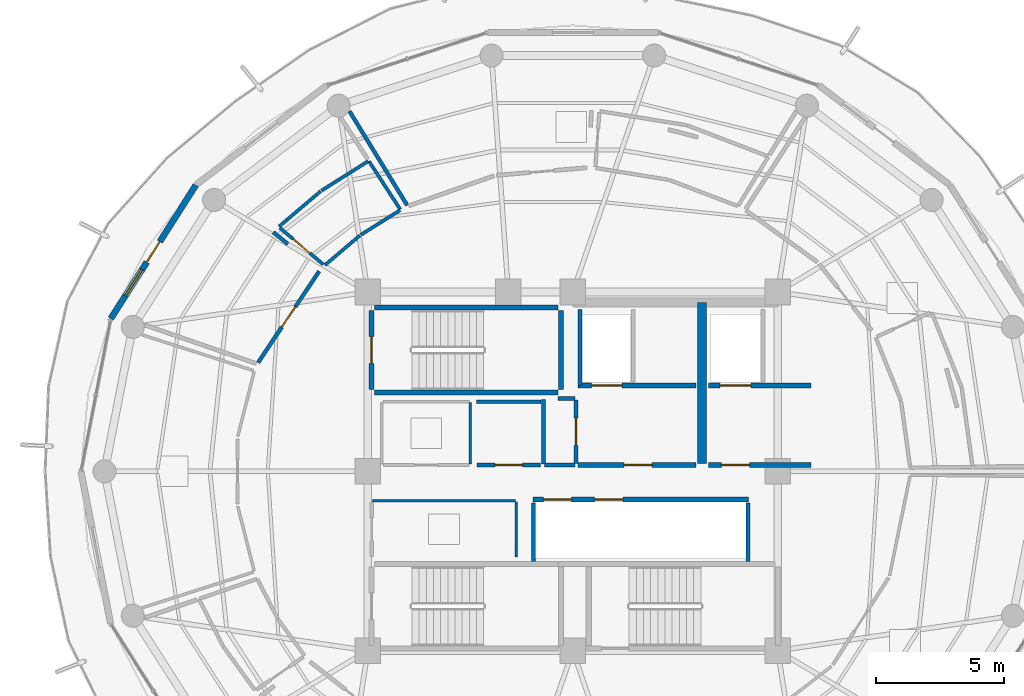
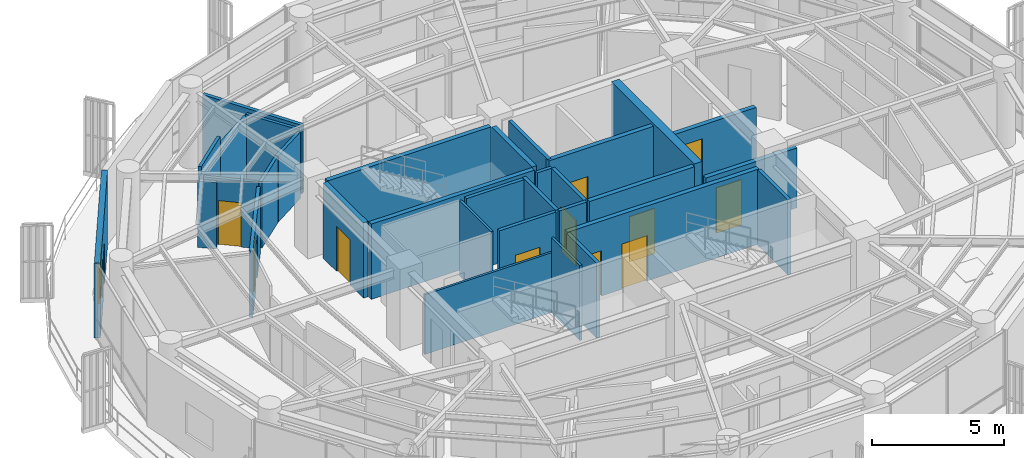
# One storey, part 17 of 23: 32 walls, 12 doors, 1 window, 13 openings.
"""IFC4 building model written with IfcOpenShell, lengths in metres."""

from ifc_helpers import new_model, si_unit, direction, frame, frame_2d, origin, place, context, subcontext, project, spatial, rectangle, extrude, material, layer, layer_set, type_object, element, fill, save


model = new_model("IFC4")

# Units and contexts
model_context = context("Model", 3, precision=1e-05, world=origin(), true_north=direction((0.0, 1.0)))
body_context = subcontext(model_context, "Body", "Model", "MODEL_VIEW")
ifc_project = project(units=[si_unit("LENGTHUNIT", "METRE"), si_unit("AREAUNIT", "SQUARE_METRE"), si_unit("VOLUMEUNIT", "CUBIC_METRE"), si_unit("PLANEANGLEUNIT", "RADIAN"), si_unit("MASSUNIT", "GRAM", prefix="KILO")], contexts=[model_context])

# Site, building, storey
site_placement = place(None, origin())
site = spatial("IfcSite", under=ifc_project, at=site_placement, CompositionType="ELEMENT")
building_placement = place(site_placement, origin())
building = spatial("IfcBuilding", under=site, at=building_placement, Name="Kelanora Arch Commons", CompositionType="ELEMENT")
storey_placement = place(building_placement, frame((0.0, 0.0, 278.699951171875)))
storey = spatial("IfcBuildingStorey", under=building, at=storey_placement, Name="L71", CompositionType="ELEMENT", Elevation=278.699951171875)

# Walls
ifc_material_1 = material(Name="Autoclaved aerated concrete blockwork with fire plaster", Category="masonry")
ifc_layer_1 = layer(ifc_material_1, 0.14990234375)
ifc_layer_set_1 = layer_set([ifc_layer_1], Name="Autoclaved aerated concrete blockwork with fire plaster")
wall_type_1 = type_object("IfcWallType", Name="W-COMP-150", PredefinedType="PARTITIONING", material=ifc_layer_set_1)
wall_1_placement = place(storey_placement, frame((74.280029296875, 61.35009765625, 0.0), z_axis=(0.0, 0.0, 1.0), x_axis=(0.0, 1.0, 0.0)))
element("IfcWall", 1, at=wall_1_placement, inside=storey, type_object=wall_type_1, Name="Firefighting Lift 1 West Shaft Wall L71", PredefinedType="PARTITIONING", context=body_context, shape_type="SweptSolid", body=[
    extrude(rectangle(XDim=2.969970703125, YDim=0.14990234375, at=frame_2d((1.48486328125, 0.0))), origin(), (0.0, 0.0, 1.0), 3.47998046875),
])
for number, where, z_axis, x_axis, name in (
    (2, (72.4599609375, 54.47998046875, 0.0), (0.0, 0.0, 1.0), (0.0, 1.0, 0.0), "South Lift Bank West Wall L71"),
    (3, (80.840087890625, 54.47998046875, 0.0), (0.0, 0.0, 1.0), (0.0, 1.0, 0.0), "South Lift Bank East Wall L71"),
):
    element("IfcWall", number, at=place(storey_placement, frame(where, z_axis=z_axis, x_axis=x_axis)), inside=storey, type_object=wall_type_1, Name=name, PredefinedType="PARTITIONING", context=body_context, shape_type="SweptSolid", body=[
        extrude(rectangle(XDim=2.2900390625, YDim=0.14990234375, at=frame_2d((1.14501953125, 0.0))), origin(), (0.0, 0.0, 1.0), 3.47998046875),
    ])

# Wall, opening, door
wall_2_placement = place(storey_placement, frame((74.1201171875, 58.31005859375, 0.0), z_axis=(0.0, 0.0, 1.0), x_axis=(0.0, 1.0, 0.0)))
wall_2 = element("IfcWall", 4, at=wall_2_placement, inside=storey, type_object=wall_type_1, Name="Core Linen Supply Store L71 Entry Partition", PredefinedType="PARTITIONING", context=body_context, shape_type="SweptSolid", body=[
    extrude(rectangle(XDim=2.47998046875, YDim=0.14990234375, at=frame_2d((1.239990234375, 0.0))), origin(), (0.0, 0.0, 1.0), 3.47998046875),
])
opening_1_placement = place(wall_2_placement, frame((0.699951171875, 0.0, 0.0)))
opening_1 = element("IfcOpeningElement", 5, at=opening_1_placement, cuts=wall_2, Name="Opening D-PLT1", PredefinedType="OPENING", context=body_context, shape_type="SweptSolid", body=[
    extrude(rectangle(XDim=1.080078125, YDim=2.10009765625, at=frame_2d((0.5400390625, 1.050048828125))), frame((0.0, 0.0849609375, 0.0), z_axis=(0.0, -1.0, 0.0), x_axis=(1.0, 0.0, 0.0)), (0.0, 0.0, 1.0), 0.169921875),
])
ifc_material_2 = material(Name="Galvanised steel plant and riser fire door", Category="steel")
door_type_1 = type_object("IfcDoorType", Name="D-PLT-110", OperationType="NOTDEFINED", PredefinedType="DOOR", material=ifc_material_2)
door_1_placement = place(opening_1_placement, origin())
door_1 = element("IfcDoor", 6, at=door_1_placement, inside=storey, type_object=door_type_1, Name="Core Linen Supply Store L71 Door", OperationType="SINGLE_SWING_LEFT", OverallHeight=2.10009765625, OverallWidth=1.080078125, PredefinedType="DOOR", context=body_context, shape_type="SweptSolid", body=[
    extrude(rectangle(XDim=1.080078125, YDim=2.10009765625, at=frame_2d((0.5400390625, 1.050048828125))), frame((0.0, 0.02490234375, 0.0), z_axis=(0.0, -1.0, 0.0), x_axis=(1.0, 0.0, 0.0)), (0.0, 0.0, 1.0), 0.050048828125),
])
fill(opening_1, door_1)

wall_3_placement = place(storey_placement, frame((70.260009765625, 58.25, 0.0), z_axis=(0.0, 0.0, 1.0), x_axis=(1.0, 0.0, 0.0)))
wall_3 = element("IfcWall", 7, at=wall_3_placement, inside=storey, type_object=wall_type_1, Name="Reclaimed Core Linen Store L71 Entry Partition", PredefinedType="PARTITIONING", context=body_context, shape_type="SweptSolid", body=[
    extrude(rectangle(XDim=2.47998046875, YDim=0.14990234375, at=frame_2d((1.239990234375, 0.0))), origin(), (0.0, 0.0, 1.0), 3.47998046875),
])
opening_2_placement = place(wall_3_placement, frame((0.699951171875, 0.0, 0.0)))
opening_2 = element("IfcOpeningElement", 8, at=opening_2_placement, cuts=wall_3, Name="Opening D-PLT1", PredefinedType="OPENING", context=body_context, shape_type="SweptSolid", body=[
    extrude(rectangle(XDim=1.080078125, YDim=2.10009765625, at=frame_2d((0.5400390625, 1.050048828125))), frame((0.0, 0.0849609375, 0.0), z_axis=(0.0, -1.0, 0.0), x_axis=(1.0, 0.0, 0.0)), (0.0, 0.0, 1.0), 0.169921875),
])
door_2_placement = place(opening_2_placement, origin())
door_2 = element("IfcDoor", 9, at=door_2_placement, inside=storey, type_object=door_type_1, Name="Reclaimed Core Linen Store L71 Door", OperationType="SINGLE_SWING_LEFT", OverallHeight=2.10009765625, OverallWidth=1.080078125, PredefinedType="DOOR", context=body_context, shape_type="SweptSolid", body=[
    extrude(rectangle(XDim=1.080078125, YDim=2.10009765625, at=frame_2d((0.5400390625, 1.050048828125))), frame((0.0, 0.02490234375, 0.0), z_axis=(0.0, -1.0, 0.0), x_axis=(1.0, 0.0, 0.0)), (0.0, 0.0, 1.0), 0.050048828125),
])
fill(opening_2, door_2)

wall_4_placement = place(storey_placement, frame((64.09765625, 65.81005859375, 0.0), z_axis=(0.0, 0.0, 1.0), x_axis=(-0.556013356557, -0.831173355763, 0.0)))
wall_4 = element("IfcWall", 10, at=wall_4_placement, inside=storey, type_object=wall_type_1, Name="Co-Living Studio L71-02 Entry Partition", PredefinedType="PARTITIONING", context=body_context, shape_type="SweptSolid", body=[
    extrude(rectangle(XDim=4.2880859375, YDim=0.14990234375, at=frame_2d((2.14404296875, 0.0))), origin(), (0.0, 0.0, 1.0), 3.074951171875),
])
opening_3_placement = place(wall_4_placement, frame((1.6689453125, 0.0, 0.0)))
opening_3 = element("IfcOpeningElement", 11, at=opening_3_placement, cuts=wall_4, Name="Opening D-CLU1", PredefinedType="OPENING", context=body_context, shape_type="SweptSolid", body=[
    extrude(rectangle(XDim=0.949951171875, YDim=2.080078125, at=frame_2d((0.47509765625, 1.0400390625))), frame((0.0, 0.0849609375, 0.0), z_axis=(0.0, -1.0, 0.0), x_axis=(1.0, 0.0, 0.0)), (0.0, 0.0, 1.0), 0.169921875),
])
ifc_material_3 = material(Name="Solid-core acoustic timber cluster entry fire door", Category="wood")
door_type_2 = type_object("IfcDoorType", Name="D-CLU-95", OperationType="NOTDEFINED", PredefinedType="DOOR", material=ifc_material_3)
door_3_placement = place(opening_3_placement, origin())
door_3 = element("IfcDoor", 12, at=door_3_placement, inside=storey, type_object=door_type_2, Name="Co-Living Studio L71-02 Door", OperationType="SINGLE_SWING_RIGHT", OverallHeight=2.080078125, OverallWidth=0.949951171875, PredefinedType="DOOR", context=body_context, shape_type="SweptSolid", body=[
    extrude(rectangle(XDim=0.949951171875, YDim=2.080078125, at=frame_2d((0.47509765625, 1.0400390625))), frame((0.0, 0.02490234375, 0.0), z_axis=(0.0, -1.0, 0.0), x_axis=(1.0, 0.0, 0.0)), (0.0, 0.0, 1.0), 0.050048828125),
])
fill(opening_3, door_3)

# Walls
wall_5_placement = place(storey_placement, frame((72.89990234375, 58.25, 0.0), z_axis=(0.0, 0.0, 1.0), x_axis=(1.0, 0.0, 0.0)))
element("IfcWall", 13, at=wall_5_placement, inside=storey, type_object=wall_type_1, Name="Core Linen Supply Store L71 Enclosure Partition 1", PredefinedType="PARTITIONING", context=body_context, shape_type="SweptSolid", body=[
    extrude(rectangle(XDim=1.18017578125, YDim=0.14990234375, at=frame_2d((0.590087890625, 0.0))), origin(), (0.0, 0.0, 1.0), 3.47998046875),
])
wall_6_placement = place(storey_placement, frame((74.080078125, 60.85009765625, 0.0), z_axis=(0.0, 0.0, 1.0), x_axis=(-1.0, 0.0, 0.0)))
element("IfcWall", 14, at=wall_6_placement, inside=storey, type_object=wall_type_1, Name="Core Linen Supply Store L71 Enclosure Partition 3", PredefinedType="PARTITIONING", context=body_context, shape_type="SweptSolid", body=[
    extrude(rectangle(XDim=0.66015625, YDim=0.14990234375, at=frame_2d((0.330078125, 0.0))), origin(), (0.0, 0.0, 1.0), 3.47998046875),
])
for number, where, z_axis, x_axis, name in (
    (15, (72.860107421875, 60.81005859375, 0.0), (0.0, 0.0, 1.0), (0.0, -1.0, 0.0), "Core Linen Supply Store L71 Enclosure Partition 4"),
    (16, (72.760009765625, 60.719970703125, 0.0), (0.0, 0.0, 1.0), (-1.0, 0.0, 0.0), "Reclaimed Core Linen Store L71 Enclosure Partition 3"),
):
    element("IfcWall", number, at=place(storey_placement, frame(where, z_axis=z_axis, x_axis=x_axis)), inside=storey, type_object=wall_type_1, Name=name, PredefinedType="PARTITIONING", context=body_context, shape_type="SweptSolid", body=[
        extrude(rectangle(XDim=2.52001953125, YDim=0.14990234375, at=frame_2d((1.260009765625, 0.0))), origin(), (0.0, 0.0, 1.0), 3.47998046875),
    ])
wall_7_placement = place(storey_placement, frame((67.5341796875, 68.385009765625, 0.0), z_axis=(0.0, 0.0, 1.0), x_axis=(-0.522784059663, 0.852465147066, 0.0)))
element("IfcWall", 17, at=wall_7_placement, inside=storey, type_object=wall_type_1, Name="Co-Living Studio L71-01 Enclosure Partition 3", PredefinedType="PARTITIONING", context=body_context, shape_type="SweptSolid", body=[
    extrude(rectangle(XDim=4.30615234375, YDim=0.14990234375, at=frame_2d((2.153076171875, 0.0))), origin(), (0.0, 0.0, 1.0), 3.175048828125),
])
wall_8_placement = place(storey_placement, frame((62.30810546875, 67.333984375, 0.0), z_axis=(0.0, 0.0, 1.0), x_axis=(0.777554041087, -0.628816120332, 0.0)))
element("IfcWall", 18, at=wall_8_placement, inside=storey, type_object=wall_type_1, Name="Co-Living Studio L71-02 Enclosure Partition 7", PredefinedType="PARTITIONING", context=body_context, shape_type="SweptSolid", body=[
    extrude(rectangle(XDim=0.7353515625, YDim=0.14990234375, at=frame_2d((0.36767578125, 0.0))), origin(), (0.0, 0.0, 1.0), 3.074951171875),
])
ifc_material_4 = material(Name="Concrete C50/60", Category="concrete")
ifc_layer_2 = layer(ifc_material_4, 0.35009765625)
ifc_layer_set_2 = layer_set([ifc_layer_2], Name="Concrete C50/60")
wall_type_2 = type_object("IfcWallType", Name="W-CORE-350", PredefinedType="SHEAR", material=ifc_layer_set_2)
wall_9_placement = place(storey_placement, frame((79.050048828125, 58.300048828125, 0.0), z_axis=(0.0, 0.0, 1.0), x_axis=(0.0, 1.0, 0.0)))
element("IfcWall", 19, at=wall_9_placement, inside=storey, type_object=wall_type_2, Name="Core Shear Spine L71-CE-N", PredefinedType="SHEAR", context=body_context, shape_type="SweptSolid", body=[
    extrude(rectangle(XDim=6.300048828125, YDim=0.35009765625, at=frame_2d((3.14990234375, 0.0))), origin(), (0.0, 0.0, 1.0), 3.489990234375),
])

# Wall, openings, door, window
ifc_material_5 = material(Name="Precast concrete C40/50 upper-zone terracotta rainscreen", Category="masonry")
ifc_layer_3 = layer(ifc_material_5, 0.239990234375)
ifc_layer_set_3 = layer_set([ifc_layer_3], Name="Precast concrete C40/50 upper-zone terracotta rainscreen")
wall_type_3 = type_object("IfcWallType", Name="W-EXT-TC2", PredefinedType="SOLIDWALL", material=ifc_layer_set_3)
wall_10_placement = place(storey_placement, frame((59.28369140625, 69.171875, 0.0), z_axis=(0.0, 0.0, 1.0), x_axis=(-0.537271968456, -0.843409053728, 0.0)))
wall_10 = element("IfcWall", 20, at=wall_10_placement, inside=storey, type_object=wall_type_3, Name="Terracotta Exterior Wall L71-B07", PredefinedType="SOLIDWALL", context=body_context, shape_type="SweptSolid", body=[
    extrude(rectangle(XDim=6.175048828125, YDim=0.239990234375, at=frame_2d((3.08740234375, 0.0))), origin(), (0.0, 0.0, 1.0), 3.47509765625),
])
opening_4_placement = place(wall_10_placement, frame((2.613037109375, 0.0, 0.0)))
opening_4 = element("IfcOpeningElement", 21, at=opening_4_placement, cuts=wall_10, Name="Opening DB-01", PredefinedType="OPENING", context=body_context, shape_type="SweptSolid", body=[
    extrude(rectangle(XDim=0.949951171875, YDim=2.10009765625, at=frame_2d((0.47509765625, 1.050048828125))), frame((0.0, 0.1298828125, 0.0), z_axis=(0.0, -1.0, 0.0), x_axis=(1.0, 0.0, 0.0)), (0.0, 0.0, 1.0), 0.260009765625),
])
opening_5_placement = place(wall_10_placement, frame((3.9130859375, 0.0, 0.85009765625)))
opening_5 = element("IfcOpeningElement", 22, at=opening_5_placement, cuts=wall_10, Name="Opening WN-02", PredefinedType="OPENING", context=body_context, shape_type="SweptSolid", body=[
    extrude(rectangle(XDim=1.199951171875, YDim=1.449951171875, at=frame_2d((0.60009765625, 0.72509765625))), frame((0.0, 0.1298828125, 0.0), z_axis=(0.0, -1.0, 0.0), x_axis=(1.0, 0.0, 0.0)), (0.0, 0.0, 1.0), 0.260009765625),
])
ifc_material_6 = material(Name="Terracotta-aluminium thermally broken glazed balcony door", Category="masonry")
door_type_3 = type_object("IfcDoorType", Name="D-BAL-10", OperationType="NOTDEFINED", PredefinedType="DOOR", material=ifc_material_6)
door_4_placement = place(opening_4_placement, frame((0.949951171875, 0.0, 0.0), z_axis=(0.0, 0.0, 1.0), x_axis=(-1.0, 0.0, 0.0)))
door_4 = element("IfcDoor", 23, at=door_4_placement, inside=storey, type_object=door_type_3, Name="Wave Balcony Door L71-B07", OperationType="SINGLE_SWING_LEFT", OverallHeight=2.10009765625, OverallWidth=0.949951171875, PredefinedType="DOOR", context=body_context, shape_type="SweptSolid", body=[
    extrude(rectangle(XDim=0.949951171875, YDim=2.10009765625, at=frame_2d((0.47509765625, 1.050048828125))), frame((0.0, 0.02490234375, 0.0), z_axis=(0.0, -1.0, 0.0), x_axis=(1.0, 0.0, 0.0)), (0.0, 0.0, 1.0), 0.050048828125),
])
fill(opening_4, door_4)
ifc_material_7 = material(Name="Terracotta-anodised aluminium frame with operable awning sash", Category="masonry")
window_type = type_object("IfcWindowType", Name="WIN-CL-12", PartitioningType="SINGLE_PANEL", PredefinedType="WINDOW", material=ifc_material_7)
window_placement = place(opening_5_placement, origin())
window = element("IfcWindow", 24, at=window_placement, inside=storey, type_object=window_type, Name="Co-Living Operable Window L71-B07", OverallHeight=1.449951171875, OverallWidth=1.199951171875, PartitioningType="SINGLE_PANEL", PredefinedType="WINDOW", context=body_context, shape_type="SweptSolid", body=[
    extrude(rectangle(XDim=1.199951171875, YDim=1.449951171875, at=frame_2d((0.60009765625, 0.72509765625))), frame((0.0, 0.030029296875, 0.0), z_axis=(0.0, -1.0, 0.0), x_axis=(1.0, 0.0, 0.0)), (0.0, 0.0, 1.0), 0.06005859375),
])
fill(opening_5, window)

# Wall, opening, door
ifc_material_8 = material(Name="Concrete C40/50", Category="concrete")
ifc_layer_4 = layer(ifc_material_8, 0.199951171875)
ifc_layer_set_4 = layer_set([ifc_layer_4], Name="Concrete C40/50")
wall_type_4 = type_object("IfcWallType", Name="W-FFL-200", PredefinedType="SOLIDWALL", material=ifc_layer_set_4)
wall_11_placement = place(storey_placement, frame((74.199951171875, 61.35009765625, 0.0), z_axis=(0.0, 0.0, 1.0), x_axis=(1.0, 0.0, 0.0)))
wall_11 = element("IfcWall", 25, at=wall_11_placement, inside=storey, type_object=wall_type_4, Name="Firefighting Lift 1 Shaft Front L71", PredefinedType="SOLIDWALL", context=body_context, shape_type="SweptSolid", body=[
    extrude(rectangle(XDim=4.60009765625, YDim=0.199951171875, at=frame_2d((2.300048828125, 0.0))), origin(), (0.0, 0.0, 1.0), 3.47998046875),
])
opening_6_placement = place(wall_11_placement, frame((0.52001953125, 0.0, 0.0)))
opening_6 = element("IfcOpeningElement", 26, at=opening_6_placement, cuts=wall_11, Name="Opening LD-FF", PredefinedType="OPENING", context=body_context, shape_type="SweptSolid", body=[
    extrude(rectangle(XDim=1.199951171875, YDim=2.14990234375, at=frame_2d((0.60009765625, 1.074951171875))), frame((0.0, 0.10986328125, 0.0), z_axis=(0.0, -1.0, 0.0), x_axis=(1.0, 0.0, 0.0)), (0.0, 0.0, 1.0), 0.219970703125),
])
ifc_material_9 = material(Name="Fire-rated firefighters lift sliding landing door")
door_type_4 = type_object("IfcDoorType", Name="D-LIFT-FF", OperationType="NOTDEFINED", PredefinedType="DOOR", material=ifc_material_9)
door_5_placement = place(opening_6_placement, origin())
door_5 = element("IfcDoor", 27, at=door_5_placement, inside=storey, type_object=door_type_4, Name="Firefighting Lift LF-FF1 Landing Door L71", OperationType="DOUBLE_DOOR_SLIDING", OverallHeight=2.14990234375, OverallWidth=1.199951171875, PredefinedType="DOOR", context=body_context, shape_type="SweptSolid", body=[
    extrude(rectangle(XDim=1.199951171875, YDim=2.14990234375, at=frame_2d((0.60009765625, 1.074951171875))), frame((0.0, 0.02490234375, 0.0), z_axis=(0.0, -1.0, 0.0), x_axis=(1.0, 0.0, 0.0)), (0.0, 0.0, 1.0), 0.050048828125),
])
fill(opening_6, door_5)

wall_12_placement = place(storey_placement, frame((79.300048828125, 61.35009765625, 0.0), z_axis=(0.0, 0.0, 1.0), x_axis=(1.0, 0.0, 0.0)))
wall_12 = element("IfcWall", 28, at=wall_12_placement, inside=storey, type_object=wall_type_4, Name="Firefighting Lift 2 Shaft Front L71", PredefinedType="SOLIDWALL", context=body_context, shape_type="SweptSolid", body=[
    extrude(rectangle(XDim=4.0, YDim=0.199951171875, at=frame_2d((2.0, 0.0))), origin(), (0.0, 0.0, 1.0), 2.775146484375),
])
opening_7_placement = place(wall_12_placement, frame((0.449951171875, 0.0, 0.0)))
opening_7 = element("IfcOpeningElement", 29, at=opening_7_placement, cuts=wall_12, Name="Opening LD-FF", PredefinedType="OPENING", context=body_context, shape_type="SweptSolid", body=[
    extrude(rectangle(XDim=1.199951171875, YDim=2.14990234375, at=frame_2d((0.60009765625, 1.074951171875))), frame((0.0, 0.10986328125, 0.0), z_axis=(0.0, -1.0, 0.0), x_axis=(1.0, 0.0, 0.0)), (0.0, 0.0, 1.0), 0.219970703125),
])
door_6_placement = place(opening_7_placement, origin())
door_6 = element("IfcDoor", 30, at=door_6_placement, inside=storey, type_object=door_type_4, Name="Firefighting Lift LF-FF2 Landing Door L71", OperationType="DOUBLE_DOOR_SLIDING", OverallHeight=2.14990234375, OverallWidth=1.199951171875, PredefinedType="DOOR", context=body_context, shape_type="SweptSolid", body=[
    extrude(rectangle(XDim=1.199951171875, YDim=2.14990234375, at=frame_2d((0.60009765625, 1.074951171875))), frame((0.0, 0.02490234375, 0.0), z_axis=(0.0, -1.0, 0.0), x_axis=(1.0, 0.0, 0.0)), (0.0, 0.0, 1.0), 0.050048828125),
])
fill(opening_7, door_6)

wall_13_placement = place(storey_placement, frame((74.199951171875, 58.25, 0.0), z_axis=(0.0, 0.0, 1.0), x_axis=(1.0, 0.0, 0.0)))
wall_13 = element("IfcWall", 31, at=wall_13_placement, inside=storey, type_object=wall_type_4, Name="Firefighting Lobby 1 Enclosure Wall L71", PredefinedType="SOLIDWALL", context=body_context, shape_type="SweptSolid", body=[
    extrude(rectangle(XDim=4.60009765625, YDim=0.199951171875, at=frame_2d((2.300048828125, 0.0))), origin(), (0.0, 0.0, 1.0), 3.47998046875),
])
opening_8_placement = place(wall_13_placement, frame((1.800048828125, 0.0, 0.0)))
opening_8 = element("IfcOpeningElement", 32, at=opening_8_placement, cuts=wall_13, Name="Opening D-FFL1", PredefinedType="OPENING", context=body_context, shape_type="SweptSolid", body=[
    extrude(rectangle(XDim=1.10009765625, YDim=2.10009765625, at=frame_2d((0.550048828125, 1.050048828125))), frame((0.0, 0.10986328125, 0.0), z_axis=(0.0, -1.0, 0.0), x_axis=(1.0, 0.0, 0.0)), (0.0, 0.0, 1.0), 0.219970703125),
])
ifc_material_10 = material(Name="Smoke-sealed firefighting lobby fire door")
door_type_5 = type_object("IfcDoorType", Name="D-FFL-110", OperationType="NOTDEFINED", PredefinedType="DOOR", material=ifc_material_10)
door_7_placement = place(opening_8_placement, frame((1.10009765625, 0.0, 0.0), z_axis=(0.0, 0.0, 1.0), x_axis=(-1.0, 0.0, 0.0)))
door_7 = element("IfcDoor", 33, at=door_7_placement, inside=storey, type_object=door_type_5, Name="Firefighting Lobby 1 Door L71", OperationType="SINGLE_SWING_LEFT", OverallHeight=2.10009765625, OverallWidth=1.10009765625, PredefinedType="DOOR", context=body_context, shape_type="SweptSolid", body=[
    extrude(rectangle(XDim=1.10009765625, YDim=2.10009765625, at=frame_2d((0.550048828125, 1.050048828125))), frame((0.0, 0.02490234375, 0.0), z_axis=(0.0, -1.0, 0.0), x_axis=(1.0, 0.0, 0.0)), (0.0, 0.0, 1.0), 0.050048828125),
])
fill(opening_8, door_7)

wall_14_placement = place(storey_placement, frame((79.300048828125, 58.25, 0.0), z_axis=(0.0, 0.0, 1.0), x_axis=(1.0, 0.0, 0.0)))
wall_14 = element("IfcWall", 34, at=wall_14_placement, inside=storey, type_object=wall_type_4, Name="Firefighting Lobby 2 Enclosure Wall L71", PredefinedType="SOLIDWALL", context=body_context, shape_type="SweptSolid", body=[
    extrude(rectangle(XDim=4.0, YDim=0.199951171875, at=frame_2d((2.0, 0.0))), origin(), (0.0, 0.0, 1.0), 2.775146484375),
])
opening_9_placement = place(wall_14_placement, frame((0.5, 0.0, 0.0)))
opening_9 = element("IfcOpeningElement", 35, at=opening_9_placement, cuts=wall_14, Name="Opening D-FFL1", PredefinedType="OPENING", context=body_context, shape_type="SweptSolid", body=[
    extrude(rectangle(XDim=1.10009765625, YDim=2.10009765625, at=frame_2d((0.550048828125, 1.050048828125))), frame((0.0, 0.10986328125, 0.0), z_axis=(0.0, -1.0, 0.0), x_axis=(1.0, 0.0, 0.0)), (0.0, 0.0, 1.0), 0.219970703125),
])
door_8_placement = place(opening_9_placement, frame((1.10009765625, 0.0, 0.0), z_axis=(0.0, 0.0, 1.0), x_axis=(-1.0, 0.0, 0.0)))
door_8 = element("IfcDoor", 36, at=door_8_placement, inside=storey, type_object=door_type_5, Name="Firefighting Lobby 2 Door L71", OperationType="SINGLE_SWING_RIGHT", OverallHeight=2.10009765625, OverallWidth=1.10009765625, PredefinedType="DOOR", context=body_context, shape_type="SweptSolid", body=[
    extrude(rectangle(XDim=1.10009765625, YDim=2.10009765625, at=frame_2d((0.550048828125, 1.050048828125))), frame((0.0, 0.02490234375, 0.0), z_axis=(0.0, -1.0, 0.0), x_axis=(1.0, 0.0, 0.0)), (0.0, 0.0, 1.0), 0.050048828125),
])
fill(opening_9, door_8)

# Wall, openings, doors
wall_15_placement = place(storey_placement, frame((72.449951171875, 56.89990234375, 0.0), z_axis=(0.0, 0.0, 1.0), x_axis=(1.0, 0.0, 0.0)))
wall_15 = element("IfcWall", 37, at=wall_15_placement, inside=storey, type_object=wall_type_4, Name="Mid/High/Express Lift Shaft Front L71", PredefinedType="SOLIDWALL", context=body_context, shape_type="SweptSolid", body=[
    extrude(rectangle(XDim=8.400146484375, YDim=0.199951171875, at=frame_2d((4.2001953125, 0.0))), origin(), (0.0, 0.0, 1.0), 3.47998046875),
])
opening_10_placement = place(wall_15_placement, frame((0.39990234375, 0.0, 0.0)))
opening_10 = element("IfcOpeningElement", 38, at=opening_10_placement, cuts=wall_15, Name="Opening LD-01", PredefinedType="OPENING", context=body_context, shape_type="SweptSolid", body=[
    extrude(rectangle(XDim=1.10009765625, YDim=2.10009765625, at=frame_2d((0.550048828125, 1.050048828125))), frame((0.0, 0.10986328125, 0.0), z_axis=(0.0, -1.0, 0.0), x_axis=(1.0, 0.0, 0.0)), (0.0, 0.0, 1.0), 0.219970703125),
])
opening_11_placement = place(wall_15_placement, frame((2.39990234375, 0.0, 0.0)))
opening_11 = element("IfcOpeningElement", 39, at=opening_11_placement, cuts=wall_15, Name="Opening LD-01", PredefinedType="OPENING", context=body_context, shape_type="SweptSolid", body=[
    extrude(rectangle(XDim=1.10009765625, YDim=2.10009765625, at=frame_2d((0.550048828125, 1.050048828125))), frame((0.0, 0.10986328125, 0.0), z_axis=(0.0, -1.0, 0.0), x_axis=(1.0, 0.0, 0.0)), (0.0, 0.0, 1.0), 0.219970703125),
])
ifc_material_11 = material(Name="Stainless steel passenger lift sliding landing door", Category="steel")
door_type_6 = type_object("IfcDoorType", Name="D-LIFT-110", OperationType="NOTDEFINED", PredefinedType="DOOR", material=ifc_material_11)
door_9_placement = place(opening_10_placement, origin())
door_9 = element("IfcDoor", 40, at=door_9_placement, inside=storey, type_object=door_type_6, Name="Passenger Lift LF-P7 Landing Door L71", OperationType="DOUBLE_DOOR_SLIDING", OverallHeight=2.10009765625, OverallWidth=1.10009765625, PredefinedType="DOOR", context=body_context, shape_type="SweptSolid", body=[
    extrude(rectangle(XDim=1.10009765625, YDim=2.10009765625, at=frame_2d((0.550048828125, 1.050048828125))), frame((0.0, 0.02490234375, 0.0), z_axis=(0.0, -1.0, 0.0), x_axis=(1.0, 0.0, 0.0)), (0.0, 0.0, 1.0), 0.050048828125),
])
fill(opening_10, door_9)
door_10_placement = place(opening_11_placement, origin())
door_10 = element("IfcDoor", 41, at=door_10_placement, inside=storey, type_object=door_type_6, Name="Passenger Lift LF-P8 Landing Door L71", OperationType="DOUBLE_DOOR_SLIDING", OverallHeight=2.10009765625, OverallWidth=1.10009765625, PredefinedType="DOOR", context=body_context, shape_type="SweptSolid", body=[
    extrude(rectangle(XDim=1.10009765625, YDim=2.10009765625, at=frame_2d((0.550048828125, 1.050048828125))), frame((0.0, 0.02490234375, 0.0), z_axis=(0.0, -1.0, 0.0), x_axis=(1.0, 0.0, 0.0)), (0.0, 0.0, 1.0), 0.050048828125),
])
fill(opening_11, door_10)

# Walls
ifc_material_12 = material(Name="Lightweight fire-rated acoustic stud partition")
ifc_layer_5 = layer(ifc_material_12, 0.10009765625)
ifc_layer_set_5 = layer_set([ifc_layer_5], Name="Lightweight fire-rated acoustic stud partition")
wall_type_5 = type_object("IfcWallType", Name="W-PART-100", PredefinedType="PARTITIONING", material=ifc_layer_set_5)
wall_16_placement = place(storey_placement, frame((70.0, 58.2900390625, 0.0), z_axis=(0.0, 0.0, 1.0), x_axis=(0.0, 1.0, 0.0)))
element("IfcWall", 42, at=wall_16_placement, inside=storey, type_object=wall_type_5, Name="Reclaimed Core Quiet Phone Booths L71 Enclosure Partition 2", PredefinedType="PARTITIONING", context=body_context, shape_type="SweptSolid", body=[
    extrude(rectangle(XDim=2.389892578125, YDim=0.10009765625, at=frame_2d((1.19482421875, 0.0))), origin(), (0.0, 0.0, 1.0), 3.47998046875),
])
wall_17_placement = place(storey_placement, frame((71.800048828125, 54.659912109375, 0.0), z_axis=(0.0, 0.0, 1.0), x_axis=(0.0, 1.0, 0.0)))
element("IfcWall", 43, at=wall_17_placement, inside=storey, type_object=wall_type_5, Name="Reclaimed Core High-Zone Pantry and Copy Room L71 Enclosure Partition 2", PredefinedType="PARTITIONING", context=body_context, shape_type="SweptSolid", body=[
    extrude(rectangle(XDim=2.150146484375, YDim=0.10009765625, at=frame_2d((1.0751953125, 0.0))), origin(), (0.0, 0.0, 1.0), 3.47998046875),
])
wall_18_placement = place(storey_placement, frame((71.760009765625, 56.85009765625, 0.0), z_axis=(0.0, 0.0, 1.0), x_axis=(-1.0, 0.0, 0.0)))
element("IfcWall", 44, at=wall_18_placement, inside=storey, type_object=wall_type_5, Name="Reclaimed Core High-Zone Pantry and Copy Room L71 Enclosure Partition 3", PredefinedType="PARTITIONING", context=body_context, shape_type="SweptSolid", body=[
    extrude(rectangle(XDim=5.570068359375, YDim=0.10009765625, at=frame_2d((2.78515625, 0.0))), origin(), (0.0, 0.0, 1.0), 2.775146484375),
])
ifc_layer_6 = layer(ifc_material_8, 0.199951171875)
ifc_layer_set_6 = layer_set([ifc_layer_6], Name="Concrete C40/50")
wall_type_6 = type_object("IfcWallType", Name="W-STAIR-200", PredefinedType="SHEAR", material=ifc_layer_set_6)
wall_19_placement = place(storey_placement, frame((66.260009765625, 61.080078125, 0.0), z_axis=(0.0, 0.0, 1.0), x_axis=(1.0, 0.0, 0.0)))
element("IfcWall", 45, at=wall_19_placement, inside=storey, type_object=wall_type_6, Name="Stair ST-T1 Shaft Wall S L71", PredefinedType="SHEAR", context=body_context, shape_type="SweptSolid", body=[
    extrude(rectangle(XDim=7.159912109375, YDim=0.199951171875, at=frame_2d((3.580078125, 0.0))), origin(), (0.0, 0.0, 1.0), 3.489990234375),
])
wall_20_placement = place(storey_placement, frame((73.5400390625, 61.199951171875, 0.0), z_axis=(0.0, 0.0, 1.0), x_axis=(0.0, 1.0, 0.0)))
element("IfcWall", 46, at=wall_20_placement, inside=storey, type_object=wall_type_6, Name="Stair ST-T1 Shaft Wall E L71", PredefinedType="SHEAR", context=body_context, shape_type="SweptSolid", body=[
    extrude(rectangle(XDim=3.070068359375, YDim=0.199951171875, at=frame_2d((1.53515625, 0.0))), origin(), (0.0, 0.0, 1.0), 3.489990234375),
])
wall_21_placement = place(storey_placement, frame((73.419921875, 64.389892578125, 0.0), z_axis=(0.0, 0.0, 1.0), x_axis=(-1.0, 0.0, 0.0)))
element("IfcWall", 47, at=wall_21_placement, inside=storey, type_object=wall_type_6, Name="Stair ST-T1 Shaft Wall N L71", PredefinedType="SHEAR", context=body_context, shape_type="SweptSolid", body=[
    extrude(rectangle(XDim=7.159912109375, YDim=0.199951171875, at=frame_2d((3.580078125, 0.0))), origin(), (0.0, 0.0, 1.0), 3.489990234375),
])

# Wall, opening, door
wall_22_placement = place(storey_placement, frame((66.139892578125, 64.27001953125, 0.0), z_axis=(0.0, 0.0, 1.0), x_axis=(0.0, -1.0, 0.0)))
wall_22 = element("IfcWall", 48, at=wall_22_placement, inside=storey, type_object=wall_type_6, Name="Stair ST-T1 Shaft Wall W L71", PredefinedType="SHEAR", context=body_context, shape_type="SweptSolid", body=[
    extrude(rectangle(XDim=3.070068359375, YDim=0.199951171875, at=frame_2d((1.53515625, 0.0))), origin(), (0.0, 0.0, 1.0), 3.489990234375),
])
opening_12_placement = place(wall_22_placement, frame((1.010009765625, 0.0, 0.0)))
opening_12 = element("IfcOpeningElement", 49, at=opening_12_placement, cuts=wall_22, Name="Opening D-ST1", PredefinedType="OPENING", context=body_context, shape_type="SweptSolid", body=[
    extrude(rectangle(XDim=1.050048828125, YDim=2.10009765625, at=frame_2d((0.52490234375, 1.050048828125))), frame((0.0, 0.10986328125, 0.0), z_axis=(0.0, -1.0, 0.0), x_axis=(1.0, 0.0, 0.0)), (0.0, 0.0, 1.0), 0.219970703125),
])
ifc_material_13 = material(Name="Steel fire-rated stairwell escape door", Category="steel")
door_type_7 = type_object("IfcDoorType", Name="D-STAIR-110", OperationType="NOTDEFINED", PredefinedType="DOOR", material=ifc_material_13)
door_11_placement = place(opening_12_placement, origin())
door_11 = element("IfcDoor", 50, at=door_11_placement, inside=storey, type_object=door_type_7, Name="Stair ST-T1 Escape Door L71", OperationType="SINGLE_SWING_LEFT", OverallHeight=2.10009765625, OverallWidth=1.050048828125, PredefinedType="DOOR", context=body_context, shape_type="SweptSolid", body=[
    extrude(rectangle(XDim=1.050048828125, YDim=2.10009765625, at=frame_2d((0.52490234375, 1.050048828125))), frame((0.0, 0.02490234375, 0.0), z_axis=(0.0, -1.0, 0.0), x_axis=(1.0, 0.0, 0.0)), (0.0, 0.0, 1.0), 0.050048828125),
])
fill(opening_12, door_11)

ifc_material_14 = material(Name="Moisture-resistant fire-rated cement-board plumbing wall")
ifc_layer_7 = layer(ifc_material_14, 0.1298828125)
ifc_layer_set_7 = layer_set([ifc_layer_7], Name="Moisture-resistant fire-rated cement-board plumbing wall")
wall_type_7 = type_object("IfcWallType", Name="W-WET-120", PredefinedType="PLUMBINGWALL", material=ifc_layer_set_7)
wall_23_placement = place(storey_placement, frame((64.26220703125, 66.07568359375, 0.0), z_axis=(0.0, 0.0, 1.0), x_axis=(-0.765401481213, 0.643553084491, 0.0)))
wall_23 = element("IfcWall", 51, at=wall_23_placement, inside=storey, type_object=wall_type_7, Name="En-Suite Shower WC L71-02 Entry Partition", PredefinedType="PLUMBINGWALL", context=body_context, shape_type="SweptSolid", body=[
    extrude(rectangle(XDim=2.219970703125, YDim=0.1298828125, at=frame_2d((1.10986328125, 0.0))), origin(), (0.0, 0.0, 1.0), 3.074951171875),
])
opening_13_placement = place(wall_23_placement, frame((0.679931640625, 0.0, 0.0)))
opening_13 = element("IfcOpeningElement", 52, at=opening_13_placement, cuts=wall_23, Name="Opening D-BT1", PredefinedType="OPENING", context=body_context, shape_type="SweptSolid", body=[
    extrude(rectangle(XDim=0.860107421875, YDim=2.050048828125, at=frame_2d((0.43017578125, 1.02490234375))), frame((0.0, 0.074951171875, 0.0), z_axis=(0.0, -1.0, 0.0), x_axis=(1.0, 0.0, 0.0)), (0.0, 0.0, 1.0), 0.14990234375),
])
ifc_material_15 = material(Name="Moisture-sealed fire-rated accessible bathroom door")
door_type_8 = type_object("IfcDoorType", Name="D-BATH-85", OperationType="NOTDEFINED", PredefinedType="DOOR", material=ifc_material_15)
door_12_placement = place(opening_13_placement, origin())
door_12 = element("IfcDoor", 53, at=door_12_placement, inside=storey, type_object=door_type_8, Name="En-Suite Shower WC L71-02 Door", OperationType="SINGLE_SWING_LEFT", OverallHeight=2.050048828125, OverallWidth=0.860107421875, PredefinedType="DOOR", context=body_context, shape_type="SweptSolid", body=[
    extrude(rectangle(XDim=0.860107421875, YDim=2.050048828125, at=frame_2d((0.43017578125, 1.02490234375))), frame((0.0, 0.02490234375, 0.0), z_axis=(0.0, -1.0, 0.0), x_axis=(1.0, 0.0, 0.0)), (0.0, 0.0, 1.0), 0.050048828125),
])
fill(opening_13, door_12)

# Walls
wall_24_placement = place(storey_placement, frame((67.259033203125, 68.1953125, 0.0), z_axis=(0.0, 0.0, 1.0), x_axis=(-0.84687872573, -0.531786069681, 0.0)))
element("IfcWall", 54, at=wall_24_placement, inside=storey, type_object=wall_type_7, Name="En-Suite Shower WC L71-02 Enclosure Partition 1", PredefinedType="PLUMBINGWALL", context=body_context, shape_type="SweptSolid", body=[
    extrude(rectangle(XDim=1.816162109375, YDim=0.1298828125, at=frame_2d((0.908203125, 0.0))), origin(), (0.0, 0.0, 1.0), 3.074951171875),
])
wall_25_placement = place(storey_placement, frame((65.688720703125, 67.2060546875, 0.0), z_axis=(0.0, 0.0, 1.0), x_axis=(-0.763153333227, -0.646217447911, 0.0)))
element("IfcWall", 55, at=wall_25_placement, inside=storey, type_object=wall_type_7, Name="En-Suite Shower WC L71-02 Enclosure Partition 2", PredefinedType="PLUMBINGWALL", context=body_context, shape_type="SweptSolid", body=[
    extrude(rectangle(XDim=1.789306640625, YDim=0.1298828125, at=frame_2d((0.89453125, 0.0))), origin(), (0.0, 0.0, 1.0), 3.074951171875),
])
wall_26_placement = place(storey_placement, frame((62.5322265625, 67.555908203125, 0.0), z_axis=(0.0, 0.0, 1.0), x_axis=(0.762363442866, 0.647149118042, 0.0)))
element("IfcWall", 56, at=wall_26_placement, inside=storey, type_object=wall_type_7, Name="En-Suite Shower WC L71-02 Enclosure Partition 4", PredefinedType="PLUMBINGWALL", context=body_context, shape_type="SweptSolid", body=[
    extrude(rectangle(XDim=2.129638671875, YDim=0.1298828125, at=frame_2d((1.06494140625, 0.0))), origin(), (0.0, 0.0, 1.0), 3.47998046875),
])
wall_27_placement = place(storey_placement, frame((64.18798828125, 68.957763671875, 0.0), z_axis=(0.0, 0.0, 1.0), x_axis=(0.846317763279, 0.532678367833, 0.0)))
element("IfcWall", 57, at=wall_27_placement, inside=storey, type_object=wall_type_7, Name="En-Suite Shower WC L71-02 Enclosure Partition 5", PredefinedType="PLUMBINGWALL", context=body_context, shape_type="SweptSolid", body=[
    extrude(rectangle(XDim=2.16015625, YDim=0.1298828125, at=frame_2d((1.080078125, 0.0))), origin(), (0.0, 0.0, 1.0), 3.074951171875),
])
wall_28_placement = place(storey_placement, frame((66.0439453125, 70.102294921875, 0.0), z_axis=(0.0, 0.0, 1.0), x_axis=(0.544858166378, -0.838528221667, 0.0)))
element("IfcWall", 58, at=wall_28_placement, inside=storey, type_object=wall_type_7, Name="En-Suite Shower WC L71-02 Enclosure Partition 6", PredefinedType="PLUMBINGWALL", context=body_context, shape_type="SweptSolid", body=[
    extrude(rectangle(XDim=2.2412109375, YDim=0.1298828125, at=frame_2d((1.12060546875, 0.0))), origin(), (0.0, 0.0, 1.0), 3.175048828125),
])

save(model, "model.ifc")
